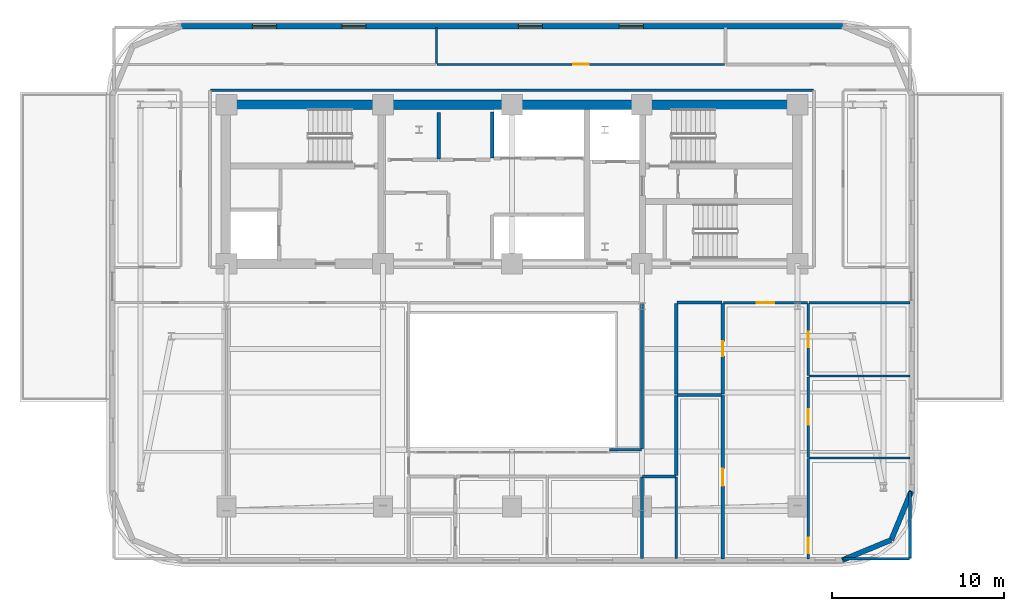
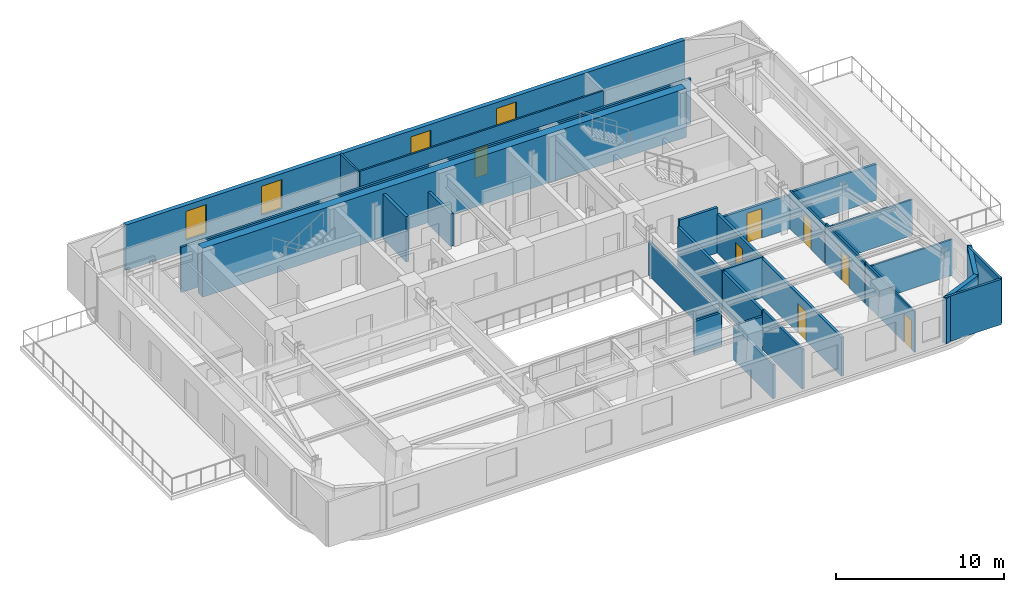
# One storey, part 8 of 13: 29 walls, 7 doors, 4 windows, 11 openings.
"""IFC4 building model written with IfcOpenShell, lengths in metres."""

import ifcopenshell
import ifcopenshell.guid

model = None  # the IFC model being written
_history = None  # IfcOwnerHistory: only IFC2X3 demands one
_inside = {}  # id of a spatial element -> (the spatial element, [elements in it])
_under = {}  # id of a project, library or spatial element -> (it, [spatial elements below it])
_declared = {}  # id of a project -> (the project, [libraries it declares])
_typed = {}  # id of a type object -> (the type object, [elements of that type])
_made_of = {}  # id of a material, layer set ... -> (it, [elements and type objects made of it])


def new_model(schema):
    """Start an empty IFC model of exactly this schema.

    Asked for "IFC4X3", IfcOpenShell would pick the latest addendum, in which some entities
    have other attributes; the version numbers below select the first issue.
    IFC2X3 requires an IfcOwnerHistory on every rooted entity: one is made here for all.
    """
    global model, _history
    if schema == "IFC4X3":
        model = ifcopenshell.file(schema_version=(4, 3, 0, 0))
    else:
        model = ifcopenshell.file(schema=schema)
    _inside.clear()
    _under.clear()
    _declared.clear()
    _typed.clear()
    _made_of.clear()
    _history = None
    if model.schema == "IFC2X3":
        org = make("IfcOrganization", Name="unknown")
        user = make(
            "IfcPersonAndOrganization",
            ThePerson=make("IfcPerson", FamilyName="unknown"),
            TheOrganization=org,
        )
        app = make(
            "IfcApplication",
            ApplicationDeveloper=org,
            Version="unknown",
            ApplicationFullName="unknown",
            ApplicationIdentifier="unknown",
        )
        _history = make(
            "IfcOwnerHistory",
            OwningUser=user,
            OwningApplication=app,
            ChangeAction="ADDED",
            CreationDate=0,
        )
    return model


def make(cls, **values):
    """One entity of the class cls with the attributes given. An attribute that is None is left unset."""
    return model.create_entity(
        cls, **{name: value for name, value in values.items() if value is not None}
    )


def rooted(cls, **values):
    """An entity with a GlobalId (a new one), such as an element, a storey or a relation."""
    return make(cls, GlobalId=ifcopenshell.guid.new(), OwnerHistory=_history, **values)


def si_unit(unit_type, name, prefix=None):
    """IfcSIUnit, for example si_unit("LENGTHUNIT", "METRE", prefix="MILLI")."""
    return make("IfcSIUnit", UnitType=unit_type, Prefix=prefix, Name=name)


def assignment(units):
    """IfcUnitAssignment: the units of a project."""
    return None if units is None else make("IfcUnitAssignment", Units=units)


def point(xyz):
    """IfcCartesianPoint."""
    return None if xyz is None else make("IfcCartesianPoint", Coordinates=xyz)


def direction(xyz):
    """IfcDirection."""
    return None if xyz is None else make("IfcDirection", DirectionRatios=xyz)


def frame(location, z_axis=None, x_axis=None):
    """IfcAxis2Placement3D, a coordinate frame: its origin and axes. An axis left out is left unset."""
    return make(
        "IfcAxis2Placement3D",
        Location=point(location),
        Axis=direction(z_axis),
        RefDirection=direction(x_axis),
    )


def frame_2d(location, x_axis=None):
    """IfcAxis2Placement2D, a coordinate frame in the plane: its origin and x axis."""
    return make(
        "IfcAxis2Placement2D", Location=point(location), RefDirection=direction(x_axis)
    )


def origin():
    """The frame at (0, 0, 0) with its axes left unset."""
    return frame((0.0, 0.0, 0.0))


def place(relative_to, where):
    """IfcLocalPlacement: puts the frame where relative to a parent placement (None: the world)."""
    return make(
        "IfcLocalPlacement", PlacementRelTo=relative_to, RelativePlacement=where
    )


def context(
    kind, dimensions, precision=None, world=None, true_north=None, identifier=None
):
    """IfcGeometricRepresentationContext, for example the 3D "Model" context."""
    return make(
        "IfcGeometricRepresentationContext",
        ContextIdentifier=identifier,
        ContextType=kind,
        CoordinateSpaceDimension=dimensions,
        Precision=precision,
        WorldCoordinateSystem=world,
        TrueNorth=true_north,
    )


def subcontext(parent, identifier, kind, view, scale=None):
    """IfcGeometricRepresentationSubContext, for example "Body" below "Model"."""
    return make(
        "IfcGeometricRepresentationSubContext",
        ContextIdentifier=identifier,
        ContextType=kind,
        ParentContext=parent,
        TargetScale=scale,
        TargetView=view,
    )


def project(units=None, contexts=None):
    """IfcProject with its units and contexts."""
    return rooted(
        "IfcProject",
        Name="project",
        RepresentationContexts=contexts,
        UnitsInContext=assignment(units),
    )


def spatial(cls, under=None, at=None, **own):
    """A site, building, storey or space (cls), placed at a placement, below another one or the project."""
    s = rooted(cls, ObjectPlacement=at, **own)
    if under is not None:
        _under.setdefault(under.id(), (under, []))[1].append(s)
    return s


def profile(cls, at=None, kind="AREA", **sizes):
    """A parametric profile (cls). Its sizes go by their IFC names, for example OverallWidth=200.0."""
    return make(cls, ProfileType=kind, Position=at, **sizes)


def rectangle(**sizes):
    """IfcRectangleProfileDef."""
    return profile("IfcRectangleProfileDef", **sizes)


def extrude(swept, where, along, depth):
    """IfcExtrudedAreaSolid: the profile swept, set in the frame where, extruded along a direction by depth."""
    return make(
        "IfcExtrudedAreaSolid",
        SweptArea=swept,
        Position=where,
        ExtrudedDirection=direction(along),
        Depth=depth,
    )


def shape(context_of_items, identifier, shape_type, items):
    """IfcShapeRepresentation: the items that make up one representation, for example the "Body"."""
    return make(
        "IfcShapeRepresentation",
        ContextOfItems=context_of_items,
        RepresentationIdentifier=identifier,
        RepresentationType=shape_type,
        Items=items,
    )


def material(Name=None, Category=None):
    """IfcMaterial."""
    return make("IfcMaterial", Name=Name, Category=Category)


def layer(
    of_material, thickness, ventilated=None, Name=None, Category=None, Priority=None
):
    """IfcMaterialLayer: one layer of a wall or slab, of a material (None: an air gap)."""
    return make(
        "IfcMaterialLayer",
        Material=of_material,
        LayerThickness=thickness,
        IsVentilated=ventilated,
        Name=Name,
        Category=Category,
        Priority=Priority,
    )


def layer_set(layers, Name=None):
    """IfcMaterialLayerSet."""
    return make("IfcMaterialLayerSet", MaterialLayers=layers, LayerSetName=Name)


def made_of(thing, what):
    """Note that an element or type object is made of a material, layer set ...; save() writes the relation."""
    if what is not None:
        _made_of.setdefault(what.id(), (what, []))[1].append(thing)
    return thing


def type_object(cls, material=None, **own):
    """A type object (cls), such as IfcWallType, which elements share."""
    return made_of(rooted(cls, **own), material)


def element(
    cls,
    number,
    at=None,
    inside=None,
    cuts=None,
    type_object=None,
    material=None,
    context=None,
    identifier="Body",
    shape_type=None,
    held_by="IfcProductDefinitionShape",
    body=None,
    shapes=None,
    **own,
):
    """One element of the class cls, such as IfcWall. Its Tag is "e" and its number.

    at: its placement. inside: the storey or other place that contains it. cuts: it is an
    opening in that element (IfcRelVoidsElement). A single representation is given by context,
    identifier, shape_type and body (its items); several are given by shapes. held_by: the class
    of the entity that holds the representations. save() writes the other relations.
    """
    e = rooted(cls, Tag="e%d" % number, ObjectPlacement=at, **own)
    if body is not None:
        shapes = [shape(context, identifier, shape_type, body)]
    if shapes is not None:
        e.Representation = make(held_by, Representations=shapes)
    if inside is not None:
        _inside.setdefault(inside.id(), (inside, []))[1].append(e)
    if cuts is not None:
        rooted(
            "IfcRelVoidsElement", RelatingBuildingElement=cuts, RelatedOpeningElement=e
        )
    if type_object is not None:
        _typed.setdefault(type_object.id(), (type_object, []))[1].append(e)
    return made_of(e, material)


def fill(opening, filler):
    """IfcRelFillsElement: the door or window that sits in an opening."""
    return rooted(
        "IfcRelFillsElement",
        RelatingOpeningElement=opening,
        RelatedBuildingElement=filler,
    )


def aggregate(whole, parts):
    """IfcRelAggregates: a whole, such as a stair, and the parts it consists of."""
    return rooted("IfcRelAggregates", RelatingObject=whole, RelatedObjects=parts)


def save(model, path):
    """Write the relations noted so far, then the file.

    IfcRelAggregates (storeys below a building ...), IfcRelContainedInSpatialStructure (elements
    in a storey), IfcRelDefinesByType, IfcRelAssociatesMaterial and IfcRelDeclares: one each for
    every whole, place, type object, material and project.
    """
    for whole, parts in _under.values():
        aggregate(whole, parts)
    for where, things in _inside.values():
        rooted(
            "IfcRelContainedInSpatialStructure",
            RelatedElements=things,
            RelatingStructure=where,
        )
    for kind, things in _typed.values():
        rooted("IfcRelDefinesByType", RelatedObjects=things, RelatingType=kind)
    for what, things in _made_of.values():
        rooted("IfcRelAssociatesMaterial", RelatedObjects=things, RelatingMaterial=what)
    for by, libraries in _declared.values():
        rooted("IfcRelDeclares", RelatingContext=by, RelatedDefinitions=libraries)
    model.write(path)


model = new_model("IFC4")

# Units and contexts
model_context = context("Model", 3, precision=1e-05, world=origin(), true_north=direction((0.0, 1.0)))
body_context = subcontext(model_context, "Body", "Model", "MODEL_VIEW")
ifc_project = project(units=[si_unit("LENGTHUNIT", "METRE"), si_unit("AREAUNIT", "SQUARE_METRE"), si_unit("VOLUMEUNIT", "CUBIC_METRE"), si_unit("PLANEANGLEUNIT", "RADIAN"), si_unit("MASSUNIT", "GRAM", prefix="KILO")], contexts=[model_context])

# Site, building, storey
site_placement = place(None, origin())
site = spatial("IfcSite", under=ifc_project, at=site_placement, CompositionType="ELEMENT")
building_placement = place(site_placement, origin())
building = spatial("IfcBuilding", under=site, at=building_placement, Name="Zarnavel Station Tower", CompositionType="ELEMENT")
storey_placement = place(building_placement, frame((0.0, 0.0, 137.699951171875)))
storey = spatial("IfcBuildingStorey", under=building, at=storey_placement, Name="L37", CompositionType="ELEMENT", Elevation=137.699951171875)

# Walls
ifc_material_1 = material(Name="Concrete C50/60", Category="concrete")
ifc_layer_1 = layer(ifc_material_1, 0.550048828125)
ifc_layer_set_1 = layer_set([ifc_layer_1], Name="CW_550")
wall_type_1 = type_object("IfcWallType", Name="CW_550", PredefinedType="SHEAR", material=ifc_layer_set_1)
wall_1_placement = place(storey_placement, frame((12.14990234375, 37.050048828125, 0.0), z_axis=(0.0, 0.0, 1.0), x_axis=(1.0, 0.0, 0.0)))
element("IfcWall", 1, at=wall_1_placement, inside=storey, type_object=wall_type_1, Name="L37 Rear Core Shear Wall N", PredefinedType="SHEAR", context=body_context, shape_type="SweptSolid", body=[
    extrude(rectangle(XDim=33.22998046875, YDim=0.550048828125, at=frame_2d((16.614990234375, 0.0))), origin(), (0.0, 0.0, 1.0), 3.550048828125),
])
ifc_material_2 = material(Name="Precast concrete C45/55 (Dark Basalt Finish)", Category="masonry")
ifc_layer_2 = layer(ifc_material_2, 0.300048828125)
ifc_layer_set_2 = layer_set([ifc_layer_2], Name="EW_BASALT_300")
wall_type_2 = type_object("IfcWallType", Name="EW_BASALT_300", PredefinedType="SOLIDWALL", material=ifc_layer_set_2)
wall_2_placement = place(storey_placement, frame((50.842529296875, 11.75732421875, 0.0), z_axis=(0.0, 0.0, 1.0), x_axis=(-0.92389884758, -0.382636798336, 0.0)))
element("IfcWall", 2, at=wall_2_placement, inside=storey, type_object=wall_type_2, Name="L37 Exterior Basalt Masonry Frame Wall 01", PredefinedType="SOLIDWALL", context=body_context, shape_type="SweptSolid", body=[
    extrude(rectangle(XDim=3.07666015625, YDim=0.300048828125, at=frame_2d((1.538330078125, 0.0))), origin(), (0.0, 0.0, 1.0), 3.2900390625),
])
wall_3_placement = place(storey_placement, frame((52.02001953125, 14.60009765625, 0.0), z_axis=(0.0, 0.0, 1.0), x_axis=(-0.382676475685, -0.923882414032, 0.0)))
element("IfcWall", 3, at=wall_3_placement, inside=storey, type_object=wall_type_2, Name="L37 Exterior Basalt Masonry Frame Wall 02", PredefinedType="SOLIDWALL", context=body_context, shape_type="SweptSolid", body=[
    extrude(rectangle(XDim=3.076904296875, YDim=0.300048828125, at=frame_2d((1.53857421875, 0.0))), origin(), (0.0, 0.0, 1.0), 3.2900390625),
])

# Wall, openings, windows
wall_4_placement = place(storey_placement, frame((9.60009765625, 41.6201171875, 0.0), z_axis=(0.0, 0.0, 1.0), x_axis=(1.0, 0.0, 0.0)))
wall_4 = element("IfcWall", 4, at=wall_4_placement, inside=storey, type_object=wall_type_2, Name="L37 Exterior Basalt Masonry Frame Wall 06", PredefinedType="SOLIDWALL", context=body_context, shape_type="SweptSolid", body=[
    extrude(rectangle(XDim=38.39990234375, YDim=0.300048828125, at=frame_2d((19.199951171875, 0.0))), origin(), (0.0, 0.0, 1.0), 3.2900390625),
])
opening_1_placement = place(wall_4_placement, frame((4.11328125, 0.0, 0.75)))
opening_1 = element("IfcOpeningElement", 5, at=opening_1_placement, cuts=wall_4, Name="Opening WN04", PredefinedType="OPENING", context=body_context, shape_type="SweptSolid", body=[
    extrude(rectangle(XDim=1.39990234375, YDim=2.10009765625, at=frame_2d((0.699951171875, 1.050048828125))), frame((0.0, 0.159912109375, 0.0), z_axis=(0.0, -1.0, 0.0), x_axis=(1.0, 0.0, 0.0)), (0.0, 0.0, 1.0), 0.320068359375),
])
opening_2_placement = place(wall_4_placement, frame((9.306640625, 0.0, 0.75)))
opening_2 = element("IfcOpeningElement", 6, at=opening_2_placement, cuts=wall_4, Name="Opening WN04", PredefinedType="OPENING", context=body_context, shape_type="SweptSolid", body=[
    extrude(rectangle(XDim=1.39990234375, YDim=2.10009765625, at=frame_2d((0.699951171875, 1.050048828125))), frame((0.0, 0.159912109375, 0.0), z_axis=(0.0, -1.0, 0.0), x_axis=(1.0, 0.0, 0.0)), (0.0, 0.0, 1.0), 0.320068359375),
])
opening_3_placement = place(wall_4_placement, frame((19.566650390625, 0.0, 0.75)))
opening_3 = element("IfcOpeningElement", 7, at=opening_3_placement, cuts=wall_4, Name="Opening WN04", PredefinedType="OPENING", context=body_context, shape_type="SweptSolid", body=[
    extrude(rectangle(XDim=1.39990234375, YDim=2.10009765625, at=frame_2d((0.699951171875, 1.050048828125))), frame((0.0, 0.159912109375, 0.0), z_axis=(0.0, -1.0, 0.0), x_axis=(1.0, 0.0, 0.0)), (0.0, 0.0, 1.0), 0.320068359375),
])
opening_4_placement = place(wall_4_placement, frame((25.433349609375, 0.0, 0.75)))
opening_4 = element("IfcOpeningElement", 8, at=opening_4_placement, cuts=wall_4, Name="Opening WN04", PredefinedType="OPENING", context=body_context, shape_type="SweptSolid", body=[
    extrude(rectangle(XDim=1.39990234375, YDim=2.10009765625, at=frame_2d((0.699951171875, 1.050048828125))), frame((0.0, 0.159912109375, 0.0), z_axis=(0.0, -1.0, 0.0), x_axis=(1.0, 0.0, 0.0)), (0.0, 0.0, 1.0), 0.320068359375),
])
ifc_material_3 = material(Name="Thermally Broken Black Aluminium and Low-E Dark Glass", Category="aluminium")
window_type = type_object("IfcWindowType", Name="WN_1400x2100", PartitioningType="DOUBLE_PANEL_VERTICAL", PredefinedType="WINDOW", material=ifc_material_3)
window_1_placement = place(opening_1_placement, origin())
window_1 = element("IfcWindow", 9, at=window_1_placement, inside=storey, type_object=window_type, Name="L37 Recessed Facade Window 01", OverallHeight=2.10009765625, OverallWidth=1.39990234375, PartitioningType="SINGLE_PANEL", PredefinedType="WINDOW", context=body_context, shape_type="SweptSolid", body=[
    extrude(rectangle(XDim=1.39990234375, YDim=2.10009765625, at=frame_2d((0.699951171875, 1.050048828125))), frame((0.0, 0.030029296875, 0.0), z_axis=(0.0, -1.0, 0.0), x_axis=(1.0, 0.0, 0.0)), (0.0, 0.0, 1.0), 0.06005859375),
])
fill(opening_1, window_1)
window_2_placement = place(opening_2_placement, origin())
window_2 = element("IfcWindow", 10, at=window_2_placement, inside=storey, type_object=window_type, Name="L37 Recessed Facade Window 02", OverallHeight=2.10009765625, OverallWidth=1.39990234375, PartitioningType="SINGLE_PANEL", PredefinedType="WINDOW", context=body_context, shape_type="SweptSolid", body=[
    extrude(rectangle(XDim=1.39990234375, YDim=2.10009765625, at=frame_2d((0.699951171875, 1.050048828125))), frame((0.0, 0.030029296875, 0.0), z_axis=(0.0, -1.0, 0.0), x_axis=(1.0, 0.0, 0.0)), (0.0, 0.0, 1.0), 0.06005859375),
])
fill(opening_2, window_2)
window_3_placement = place(opening_3_placement, origin())
window_3 = element("IfcWindow", 11, at=window_3_placement, inside=storey, type_object=window_type, Name="L37 Recessed Facade Window 03", OverallHeight=2.10009765625, OverallWidth=1.39990234375, PartitioningType="SINGLE_PANEL", PredefinedType="WINDOW", context=body_context, shape_type="SweptSolid", body=[
    extrude(rectangle(XDim=1.39990234375, YDim=2.10009765625, at=frame_2d((0.699951171875, 1.050048828125))), frame((0.0, 0.030029296875, 0.0), z_axis=(0.0, -1.0, 0.0), x_axis=(1.0, 0.0, 0.0)), (0.0, 0.0, 1.0), 0.06005859375),
])
fill(opening_3, window_3)
window_4_placement = place(opening_4_placement, origin())
window_4 = element("IfcWindow", 12, at=window_4_placement, inside=storey, type_object=window_type, Name="L37 Recessed Facade Window 04", OverallHeight=2.10009765625, OverallWidth=1.39990234375, PartitioningType="SINGLE_PANEL", PredefinedType="WINDOW", context=body_context, shape_type="SweptSolid", body=[
    extrude(rectangle(XDim=1.39990234375, YDim=2.10009765625, at=frame_2d((0.699951171875, 1.050048828125))), frame((0.0, 0.030029296875, 0.0), z_axis=(0.0, -1.0, 0.0), x_axis=(1.0, 0.0, 0.0)), (0.0, 0.0, 1.0), 0.06005859375),
])
fill(opening_4, window_4)

# Wall, opening, door
ifc_material_4 = material(Name="Gypsum Twin-Stud Acoustic Fire Partition", Category="concrete")
ifc_layer_3 = layer(ifc_material_4, 0.159912109375)
ifc_layer_set_3 = layer_set([ifc_layer_3], Name="PT_DEMISE_160")
wall_type_3 = type_object("IfcWallType", Name="PT_DEMISE_160", PredefinedType="PARTITIONING", material=ifc_layer_set_3)
wall_5_placement = place(storey_placement, frame((41.090087890625, 25.550048828125, 0.0), z_axis=(0.0, 0.0, 1.0), x_axis=(1.0, 0.0, 0.0)))
wall_5 = element("IfcWall", 13, at=wall_5_placement, inside=storey, type_object=wall_type_3, Name="L37 Partition COR-S-UE1LV", PredefinedType="PARTITIONING", context=body_context, shape_type="SweptSolid", body=[
    extrude(rectangle(XDim=4.889892578125, YDim=0.159912109375, at=frame_2d((2.44482421875, 0.0))), origin(), (0.0, 0.0, 1.0), 2.4560546875),
])
opening_5_placement = place(wall_5_placement, frame((1.945068359375, 0.0, 0.0)))
opening_5 = element("IfcOpeningElement", 14, at=opening_5_placement, cuts=wall_5, Name="Opening FD02", PredefinedType="OPENING", context=body_context, shape_type="SweptSolid", body=[
    extrude(rectangle(XDim=1.0, YDim=2.14990234375, at=frame_2d((0.5, 1.074951171875))), frame((0.0, 0.08984375, 0.0), z_axis=(0.0, -1.0, 0.0), x_axis=(1.0, 0.0, 0.0)), (0.0, 0.0, 1.0), 0.179931640625),
])
ifc_material_5 = material(Name="Painted Galvanised Steel and Hardwood Leaf", Category="steel")
door_type_1 = type_object("IfcDoorType", Name="ID_ENTRY_1000", OperationType="NOTDEFINED", PredefinedType="DOOR", material=ifc_material_5)
door_1_placement = place(opening_5_placement, origin())
door_1 = element("IfcDoor", 15, at=door_1_placement, inside=storey, type_object=door_type_1, Name="L37 Door COR-S-UE1LV", OperationType="SINGLE_SWING_RIGHT", OverallHeight=2.14990234375, OverallWidth=1.0, PredefinedType="DOOR", context=body_context, shape_type="SweptSolid", body=[
    extrude(rectangle(XDim=1.0, YDim=2.14990234375, at=frame_2d((0.5, 1.074951171875))), frame((0.0, 0.02490234375, 0.0), z_axis=(0.0, -1.0, 0.0), x_axis=(1.0, 0.0, 0.0)), (0.0, 0.0, 1.0), 0.050048828125),
])
fill(opening_5, door_1)

# Walls
wall_6_placement = place(storey_placement, frame((46.06005859375, 25.550048828125, 0.0), z_axis=(0.0, 0.0, 1.0), x_axis=(1.0, 0.0, 0.0)))
element("IfcWall", 16, at=wall_6_placement, inside=storey, type_object=wall_type_3, Name="L37 Partition COR-S-UE1B3", PredefinedType="PARTITIONING", context=body_context, shape_type="SweptSolid", body=[
    extrude(rectangle(XDim=5.8798828125, YDim=0.159912109375, at=frame_2d((2.93994140625, 0.0))), origin(), (0.0, 0.0, 1.0), 2.6201171875),
])
wall_7_placement = place(storey_placement, frame((11.280029296875, 37.89990234375, 0.0), z_axis=(0.0, 0.0, 1.0), x_axis=(1.0, 0.0, 0.0)))
element("IfcWall", 17, at=wall_7_placement, inside=storey, type_object=wall_type_3, Name="L37 Enclosure Wall COR-N", PredefinedType="PARTITIONING", context=body_context, shape_type="SweptSolid", body=[
    extrude(rectangle(XDim=35.0400390625, YDim=0.159912109375, at=frame_2d((17.52001953125, 0.0))), origin(), (0.0, 0.0, 1.0), 3.2900390625),
])
wall_8_placement = place(storey_placement, frame((36.3798828125, 15.449951171875, 0.0), z_axis=(0.0, 0.0, 1.0), x_axis=(1.0, 0.0, 0.0)))
element("IfcWall", 18, at=wall_8_placement, inside=storey, type_object=wall_type_3, Name="L37 Enclosure Wall COR-AE", PredefinedType="PARTITIONING", context=body_context, shape_type="SweptSolid", body=[
    extrude(rectangle(XDim=1.940185546875, YDim=0.159912109375, at=frame_2d((0.97021484375, 0.0))), origin(), (0.0, 0.0, 1.0), 2.4560546875),
])
wall_9_placement = place(storey_placement, frame((36.35009765625, 17.030029296875, 0.0), z_axis=(0.0, 0.0, 1.0), x_axis=(0.0, 1.0, 0.0)))
element("IfcWall", 19, at=wall_9_placement, inside=storey, type_object=wall_type_3, Name="L37 Enclosure Wall COR-AE", PredefinedType="PARTITIONING", context=body_context, shape_type="SweptSolid", body=[
    extrude(rectangle(XDim=8.489990234375, YDim=0.159912109375, at=frame_2d((4.2451171875, 0.0))), origin(), (0.0, 0.0, 1.0), 2.4560546875),
])
wall_10_placement = place(storey_placement, frame((34.47998046875, 17.0, 0.0), z_axis=(0.0, 0.0, 1.0), x_axis=(1.0, 0.0, 0.0)))
element("IfcWall", 20, at=wall_10_placement, inside=storey, type_object=wall_type_3, Name="L37 Enclosure Wall COR-AS", PredefinedType="PARTITIONING", context=body_context, shape_type="SweptSolid", body=[
    extrude(rectangle(XDim=1.840087890625, YDim=0.159912109375, at=frame_2d((0.919921875, 0.0))), origin(), (0.0, 0.0, 1.0), 2.4560546875),
])
wall_11_placement = place(storey_placement, frame((36.35009765625, 10.68994140625, 0.0), z_axis=(0.0, 0.0, 1.0), x_axis=(0.0, 1.0, 0.0)))
element("IfcWall", 21, at=wall_11_placement, inside=storey, type_object=wall_type_3, Name="L37 Enclosure Wall US1B1", PredefinedType="PARTITIONING", context=body_context, shape_type="SweptSolid", body=[
    extrude(rectangle(XDim=4.72998046875, YDim=0.159912109375, at=frame_2d((2.364990234375, 0.0))), origin(), (0.0, 0.0, 1.0), 2.4560546875),
])
wall_12_placement = place(storey_placement, frame((38.35009765625, 10.68994140625, 0.0), z_axis=(0.0, 0.0, 1.0), x_axis=(0.0, 1.0, 0.0)))
element("IfcWall", 22, at=wall_12_placement, inside=storey, type_object=wall_type_3, Name="L37 Enclosure Wall UE1KT", PredefinedType="PARTITIONING", context=body_context, shape_type="SweptSolid", body=[
    extrude(rectangle(XDim=4.72998046875, YDim=0.159912109375, at=frame_2d((2.364990234375, 0.0))), origin(), (0.0, 0.0, 1.0), 2.91015625),
])
wall_13_placement = place(storey_placement, frame((48.030029296875, 10.659912109375, 0.0), z_axis=(0.0, 0.0, 1.0), x_axis=(1.0, 0.0, 0.0)))
element("IfcWall", 23, at=wall_13_placement, inside=storey, type_object=wall_type_3, Name="L37 Enclosure Wall UE1B1", PredefinedType="PARTITIONING", context=body_context, shape_type="SweptSolid", body=[
    extrude(rectangle(XDim=3.8798828125, YDim=0.159912109375, at=frame_2d((1.93994140625, 0.0))), origin(), (0.0, 0.0, 1.0), 3.2900390625),
])
wall_14_placement = place(storey_placement, frame((51.93994140625, 10.68994140625, 0.0), z_axis=(0.0, 0.0, 1.0), x_axis=(0.0, 1.0, 0.0)))
element("IfcWall", 24, at=wall_14_placement, inside=storey, type_object=wall_type_3, Name="L37 Enclosure Wall UE1B1", PredefinedType="PARTITIONING", context=body_context, shape_type="SweptSolid", body=[
    extrude(rectangle(XDim=3.880126953125, YDim=0.159912109375, at=frame_2d((1.93994140625, 0.0))), origin(), (0.0, 0.0, 1.0), 3.2900390625),
])

# Wall, opening, door
ifc_material_6 = material(Name="Gypsum Metal-Stud Interior Partition", Category="concrete")
ifc_layer_4 = layer(ifc_material_6, 0.1201171875)
ifc_layer_set_4 = layer_set([ifc_layer_4], Name="PT_ROOM_120")
wall_type_4 = type_object("IfcWallType", Name="PT_ROOM_120", PredefinedType="PARTITIONING", material=ifc_layer_set_4)
wall_15_placement = place(storey_placement, frame((24.43994140625, 39.39990234375, 0.0), z_axis=(0.0, 0.0, 1.0), x_axis=(1.0, 0.0, 0.0)))
wall_15 = element("IfcWall", 25, at=wall_15_placement, inside=storey, type_object=wall_type_4, Name="L37 Partition COR-N-NSPA", PredefinedType="PARTITIONING", context=body_context, shape_type="SweptSolid", body=[
    extrude(rectangle(XDim=16.719970703125, YDim=0.1201171875, at=frame_2d((8.35986328125, 0.0))), origin(), (0.0, 0.0, 1.0), 3.2900390625),
])
opening_6_placement = place(wall_15_placement, frame((7.909912109375, 0.0, 0.0)))
opening_6 = element("IfcOpeningElement", 26, at=opening_6_placement, cuts=wall_15, Name="Opening ID01", PredefinedType="OPENING", context=body_context, shape_type="SweptSolid", body=[
    extrude(rectangle(XDim=0.89990234375, YDim=2.10009765625, at=frame_2d((0.449951171875, 1.050048828125))), frame((0.0, 0.070068359375, 0.0), z_axis=(0.0, -1.0, 0.0), x_axis=(1.0, 0.0, 0.0)), (0.0, 0.0, 1.0), 0.14013671875),
])
ifc_material_7 = material(Name="Painted Galvanised Steel and Hardwood Leaf", Category="steel")
door_type_2 = type_object("IfcDoorType", Name="ID_ROOM_900", OperationType="NOTDEFINED", PredefinedType="DOOR", material=ifc_material_7)
door_2_placement = place(opening_6_placement, origin())
door_2 = element("IfcDoor", 27, at=door_2_placement, inside=storey, type_object=door_type_2, Name="L37 Door COR-N-NSPA", OperationType="SINGLE_SWING_RIGHT", OverallHeight=2.10009765625, OverallWidth=0.89990234375, PredefinedType="DOOR", context=body_context, shape_type="SweptSolid", body=[
    extrude(rectangle(XDim=0.89990234375, YDim=2.10009765625, at=frame_2d((0.449951171875, 1.050048828125))), frame((0.0, 0.02490234375, 0.0), z_axis=(0.0, -1.0, 0.0), x_axis=(1.0, 0.0, 0.0)), (0.0, 0.0, 1.0), 0.050048828125),
])
fill(opening_6, door_2)

# Wall
wall_16_placement = place(storey_placement, frame((24.39990234375, 39.43994140625, 0.0), z_axis=(0.0, 0.0, 1.0), x_axis=(0.0, 1.0, 0.0)))
element("IfcWall", 28, at=wall_16_placement, inside=storey, type_object=wall_type_4, Name="L37 Partition NLIB-NSPA", PredefinedType="PARTITIONING", context=body_context, shape_type="SweptSolid", body=[
    extrude(rectangle(XDim=2.10009765625, YDim=0.1201171875, at=frame_2d((1.050048828125, 0.0))), origin(), (0.0, 0.0, 1.0), 3.2900390625),
])

# Wall, opening, door
wall_17_placement = place(storey_placement, frame((46.02001953125, 10.659912109375, 0.0), z_axis=(0.0, 0.0, 1.0), x_axis=(0.0, 1.0, 0.0)))
wall_17 = element("IfcWall", 29, at=wall_17_placement, inside=storey, type_object=wall_type_4, Name="L37 Partition UE1LV-UE1B1", PredefinedType="PARTITIONING", context=body_context, shape_type="SweptSolid", body=[
    extrude(rectangle(XDim=5.817138671875, YDim=0.1201171875, at=frame_2d((2.90869140625, 0.0))), origin(), (0.0, 0.0, 1.0), 2.969970703125),
])
opening_7_placement = place(wall_17_placement, frame((0.333251953125, 0.0, 0.0)))
opening_7 = element("IfcOpeningElement", 30, at=opening_7_placement, cuts=wall_17, Name="Opening ID01", PredefinedType="OPENING", context=body_context, shape_type="SweptSolid", body=[
    extrude(rectangle(XDim=0.89990234375, YDim=2.10009765625, at=frame_2d((0.449951171875, 1.050048828125))), frame((0.0, 0.070068359375, 0.0), z_axis=(0.0, -1.0, 0.0), x_axis=(1.0, 0.0, 0.0)), (0.0, 0.0, 1.0), 0.14013671875),
])
door_3_placement = place(opening_7_placement, origin())
door_3 = element("IfcDoor", 31, at=door_3_placement, inside=storey, type_object=door_type_2, Name="L37 Door UE1LV-UE1B1", OperationType="SINGLE_SWING_LEFT", OverallHeight=2.10009765625, OverallWidth=0.89990234375, PredefinedType="DOOR", context=body_context, shape_type="SweptSolid", body=[
    extrude(rectangle(XDim=0.89990234375, YDim=2.10009765625, at=frame_2d((0.449951171875, 1.050048828125))), frame((0.0, 0.02490234375, 0.0), z_axis=(0.0, -1.0, 0.0), x_axis=(1.0, 0.0, 0.0)), (0.0, 0.0, 1.0), 0.050048828125),
])
fill(opening_7, door_3)

wall_18_placement = place(storey_placement, frame((46.02001953125, 16.556884765625, 0.0), z_axis=(0.0, 0.0, 1.0), x_axis=(0.0, 1.0, 0.0)))
wall_18 = element("IfcWall", 32, at=wall_18_placement, inside=storey, type_object=wall_type_4, Name="L37 Partition UE1LV-UE1B2", PredefinedType="PARTITIONING", context=body_context, shape_type="SweptSolid", body=[
    extrude(rectangle(XDim=4.68505859375, YDim=0.1201171875, at=frame_2d((2.342529296875, 0.0))), origin(), (0.0, 0.0, 1.0), 2.969970703125),
])
opening_8_placement = place(wall_18_placement, frame((1.892578125, 0.0, 0.0)))
opening_8 = element("IfcOpeningElement", 33, at=opening_8_placement, cuts=wall_18, Name="Opening ID01", PredefinedType="OPENING", context=body_context, shape_type="SweptSolid", body=[
    extrude(rectangle(XDim=0.89990234375, YDim=2.10009765625, at=frame_2d((0.449951171875, 1.050048828125))), frame((0.0, 0.070068359375, 0.0), z_axis=(0.0, -1.0, 0.0), x_axis=(1.0, 0.0, 0.0)), (0.0, 0.0, 1.0), 0.14013671875),
])
door_4_placement = place(opening_8_placement, origin())
door_4 = element("IfcDoor", 34, at=door_4_placement, inside=storey, type_object=door_type_2, Name="L37 Door UE1LV-UE1B2", OperationType="SINGLE_SWING_RIGHT", OverallHeight=2.10009765625, OverallWidth=0.89990234375, PredefinedType="DOOR", context=body_context, shape_type="SweptSolid", body=[
    extrude(rectangle(XDim=0.89990234375, YDim=2.10009765625, at=frame_2d((0.449951171875, 1.050048828125))), frame((0.0, 0.02490234375, 0.0), z_axis=(0.0, -1.0, 0.0), x_axis=(1.0, 0.0, 0.0)), (0.0, 0.0, 1.0), 0.050048828125),
])
fill(opening_8, door_4)

wall_19_placement = place(storey_placement, frame((46.02001953125, 21.322021484375, 0.0), z_axis=(0.0, 0.0, 1.0), x_axis=(0.0, 1.0, 0.0)))
wall_19 = element("IfcWall", 35, at=wall_19_placement, inside=storey, type_object=wall_type_4, Name="L37 Partition UE1LV-UE1B3", PredefinedType="PARTITIONING", context=body_context, shape_type="SweptSolid", body=[
    extrude(rectangle(XDim=4.18798828125, YDim=0.1201171875, at=frame_2d((2.093994140625, 0.0))), origin(), (0.0, 0.0, 1.0), 2.77001953125),
])
opening_9_placement = place(wall_19_placement, frame((1.64404296875, 0.0, 0.0)))
opening_9 = element("IfcOpeningElement", 36, at=opening_9_placement, cuts=wall_19, Name="Opening ID01", PredefinedType="OPENING", context=body_context, shape_type="SweptSolid", body=[
    extrude(rectangle(XDim=0.89990234375, YDim=2.10009765625, at=frame_2d((0.449951171875, 1.050048828125))), frame((0.0, 0.070068359375, 0.0), z_axis=(0.0, -1.0, 0.0), x_axis=(1.0, 0.0, 0.0)), (0.0, 0.0, 1.0), 0.14013671875),
])
door_5_placement = place(opening_9_placement, origin())
door_5 = element("IfcDoor", 37, at=door_5_placement, inside=storey, type_object=door_type_2, Name="L37 Door UE1LV-UE1B3", OperationType="SINGLE_SWING_LEFT", OverallHeight=2.10009765625, OverallWidth=0.89990234375, PredefinedType="DOOR", context=body_context, shape_type="SweptSolid", body=[
    extrude(rectangle(XDim=0.89990234375, YDim=2.10009765625, at=frame_2d((0.449951171875, 1.050048828125))), frame((0.0, 0.02490234375, 0.0), z_axis=(0.0, -1.0, 0.0), x_axis=(1.0, 0.0, 0.0)), (0.0, 0.0, 1.0), 0.050048828125),
])
fill(opening_9, door_5)

# Walls
for number, where, z_axis, x_axis, name in (
    (38, (46.06005859375, 16.51708984375, 0.0), (0.0, 0.0, 1.0), (1.0, 0.0, 0.0), "L37 Partition UE1B1-UE1B2"),
    (39, (46.06005859375, 21.281982421875, 0.0), (0.0, 0.0, 1.0), (1.0, 0.0, 0.0), "L37 Partition UE1B2-UE1B3"),
):
    element("IfcWall", number, at=place(storey_placement, frame(where, z_axis=z_axis, x_axis=x_axis)), inside=storey, type_object=wall_type_4, Name=name, PredefinedType="PARTITIONING", context=body_context, shape_type="SweptSolid", body=[
        extrude(rectangle(XDim=5.8798828125, YDim=0.1201171875, at=frame_2d((2.93994140625, 0.0))), origin(), (0.0, 0.0, 1.0), 2.6201171875),
    ])
ifc_material_8 = material(Name="Precast concrete C45/55 (Fire Shaft Blockwork)", Category="masonry")
ifc_layer_5 = layer(ifc_material_8, 0.199951171875)
ifc_layer_set_5 = layer_set([ifc_layer_5], Name="PT_SHAFT_200")
wall_type_5 = type_object("IfcWallType", Name="PT_SHAFT_200", PredefinedType="PARTITIONING", material=ifc_layer_set_5)
wall_20_placement = place(storey_placement, frame((27.64990234375, 33.949951171875, 0.0), z_axis=(0.0, 0.0, 1.0), x_axis=(0.0, 1.0, 0.0)))
element("IfcWall", 40, at=wall_20_placement, inside=storey, type_object=wall_type_5, Name="L37 Mid-Rise Lift Bank West Shaft Wall", PredefinedType="PARTITIONING", context=body_context, shape_type="SweptSolid", body=[
    extrude(rectangle(XDim=2.679931640625, YDim=0.199951171875, at=frame_2d((1.33984375, 0.0))), origin(), (0.0, 0.0, 1.0), 2.360107421875),
])
wall_21_placement = place(storey_placement, frame((24.550048828125, 33.889892578125, 0.0), z_axis=(0.0, 0.0, 1.0), x_axis=(0.0, 1.0, 0.0)))
element("IfcWall", 41, at=wall_21_placement, inside=storey, type_object=wall_type_5, Name="L37 Partition FB1A-FB1B", PredefinedType="PARTITIONING", context=body_context, shape_type="SweptSolid", body=[
    extrude(rectangle(XDim=2.72021484375, YDim=0.199951171875, at=frame_2d((1.360107421875, 0.0))), origin(), (0.0, 0.0, 1.0), 3.2900390625),
])
ifc_material_9 = material(Name="Moisture-Resistant Plumbing Chase Wall", Category="concrete")
ifc_layer_6 = layer(ifc_material_9, 0.179931640625)
ifc_layer_set_6 = layer_set([ifc_layer_6], Name="PW_PLUMB_180")
wall_type_6 = type_object("IfcWallType", Name="PW_PLUMB_180", PredefinedType="PLUMBINGWALL", material=ifc_layer_set_6)
wall_22_placement = place(storey_placement, frame((38.389892578125, 25.550048828125, 0.0), z_axis=(0.0, 0.0, 1.0), x_axis=(1.0, 0.0, 0.0)))
element("IfcWall", 42, at=wall_22_placement, inside=storey, type_object=wall_type_6, Name="L37 Partition COR-S-UE1BA", PredefinedType="PLUMBINGWALL", context=body_context, shape_type="SweptSolid", body=[
    extrude(rectangle(XDim=2.6201171875, YDim=0.179931640625, at=frame_2d((1.31005859375, 0.0))), origin(), (0.0, 0.0, 1.0), 3.2900390625),
])
wall_23_placement = place(storey_placement, frame((38.35009765625, 15.489990234375, 0.0), z_axis=(0.0, 0.0, 1.0), x_axis=(0.0, 1.0, 0.0)))
element("IfcWall", 43, at=wall_23_placement, inside=storey, type_object=wall_type_6, Name="L37 Partition COR-AE-UE1KT", PredefinedType="PLUMBINGWALL", context=body_context, shape_type="SweptSolid", body=[
    extrude(rectangle(XDim=4.659912109375, YDim=0.179931640625, at=frame_2d((2.330078125, 0.0))), origin(), (0.0, 0.0, 1.0), 2.830078125),
])
wall_24_placement = place(storey_placement, frame((38.35009765625, 20.22998046875, 0.0), z_axis=(0.0, 0.0, 1.0), x_axis=(0.0, 1.0, 0.0)))
element("IfcWall", 44, at=wall_24_placement, inside=storey, type_object=wall_type_6, Name="L37 Partition COR-AE-UE1BA", PredefinedType="PLUMBINGWALL", context=body_context, shape_type="SweptSolid", body=[
    extrude(rectangle(XDim=5.280029296875, YDim=0.179931640625, at=frame_2d((2.64013671875, 0.0))), origin(), (0.0, 0.0, 1.0), 2.830078125),
])

# Wall, opening, door
wall_25_placement = place(storey_placement, frame((41.050048828125, 10.659912109375, 0.0), z_axis=(0.0, 0.0, 1.0), x_axis=(0.0, 1.0, 0.0)))
wall_25 = element("IfcWall", 45, at=wall_25_placement, inside=storey, type_object=wall_type_6, Name="L37 Partition UE1LV-UE1KT", PredefinedType="PLUMBINGWALL", context=body_context, shape_type="SweptSolid", body=[
    extrude(rectangle(XDim=9.489990234375, YDim=0.179931640625, at=frame_2d((4.7451171875, 0.0))), origin(), (0.0, 0.0, 1.0), 2.830078125),
])
opening_10_placement = place(wall_25_placement, frame((4.2451171875, 0.0, 0.0)))
opening_10 = element("IfcOpeningElement", 46, at=opening_10_placement, cuts=wall_25, Name="Opening FD02", PredefinedType="OPENING", context=body_context, shape_type="SweptSolid", body=[
    extrude(rectangle(XDim=1.0, YDim=2.14990234375, at=frame_2d((0.5, 1.074951171875))), frame((0.0, 0.099853515625, 0.0), z_axis=(0.0, -1.0, 0.0), x_axis=(1.0, 0.0, 0.0)), (0.0, 0.0, 1.0), 0.199951171875),
])
door_6_placement = place(opening_10_placement, origin())
door_6 = element("IfcDoor", 47, at=door_6_placement, inside=storey, type_object=door_type_1, Name="L37 Door UE1LV-UE1KT", OperationType="SINGLE_SWING_LEFT", OverallHeight=2.14990234375, OverallWidth=1.0, PredefinedType="DOOR", context=body_context, shape_type="SweptSolid", body=[
    extrude(rectangle(XDim=1.0, YDim=2.14990234375, at=frame_2d((0.5, 1.074951171875))), frame((0.0, 0.02490234375, 0.0), z_axis=(0.0, -1.0, 0.0), x_axis=(1.0, 0.0, 0.0)), (0.0, 0.0, 1.0), 0.050048828125),
])
fill(opening_10, door_6)

wall_26_placement = place(storey_placement, frame((41.050048828125, 20.22998046875, 0.0), z_axis=(0.0, 0.0, 1.0), x_axis=(0.0, 1.0, 0.0)))
wall_26 = element("IfcWall", 48, at=wall_26_placement, inside=storey, type_object=wall_type_6, Name="L37 Partition UE1LV-UE1BA", PredefinedType="PLUMBINGWALL", context=body_context, shape_type="SweptSolid", body=[
    extrude(rectangle(XDim=5.280029296875, YDim=0.179931640625, at=frame_2d((2.64013671875, 0.0))), origin(), (0.0, 0.0, 1.0), 2.830078125),
])
opening_11_placement = place(wall_26_placement, frame((2.215087890625, 0.0, 0.0)))
opening_11 = element("IfcOpeningElement", 49, at=opening_11_placement, cuts=wall_26, Name="Opening ID02", PredefinedType="OPENING", context=body_context, shape_type="SweptSolid", body=[
    extrude(rectangle(XDim=0.85009765625, YDim=2.10009765625, at=frame_2d((0.425048828125, 1.050048828125))), frame((0.0, 0.099853515625, 0.0), z_axis=(0.0, -1.0, 0.0), x_axis=(1.0, 0.0, 0.0)), (0.0, 0.0, 1.0), 0.199951171875),
])
ifc_material_10 = material(Name="Painted Galvanised Steel and Hardwood Leaf", Category="steel")
door_type_3 = type_object("IfcDoorType", Name="ID_BATH_850", OperationType="NOTDEFINED", PredefinedType="DOOR", material=ifc_material_10)
door_7_placement = place(opening_11_placement, origin())
door_7 = element("IfcDoor", 50, at=door_7_placement, inside=storey, type_object=door_type_3, Name="L37 Door UE1LV-UE1BA", OperationType="SINGLE_SWING_RIGHT", OverallHeight=2.10009765625, OverallWidth=0.85009765625, PredefinedType="DOOR", context=body_context, shape_type="SweptSolid", body=[
    extrude(rectangle(XDim=0.85009765625, YDim=2.10009765625, at=frame_2d((0.425048828125, 1.050048828125))), frame((0.0, 0.02490234375, 0.0), z_axis=(0.0, -1.0, 0.0), x_axis=(1.0, 0.0, 0.0)), (0.0, 0.0, 1.0), 0.050048828125),
])
fill(opening_11, door_7)

# Wall
wall_27_placement = place(storey_placement, frame((38.389892578125, 20.18994140625, 0.0), z_axis=(0.0, 0.0, 1.0), x_axis=(1.0, 0.0, 0.0)))
element("IfcWall", 51, at=wall_27_placement, inside=storey, type_object=wall_type_6, Name="L37 Partition UE1KT-UE1BA", PredefinedType="PLUMBINGWALL", context=body_context, shape_type="SweptSolid", body=[
    extrude(rectangle(XDim=2.6201171875, YDim=0.179931640625, at=frame_2d((1.31005859375, 0.0))), origin(), (0.0, 0.0, 1.0), 2.9599609375),
])

save(model, "model.ifc")
